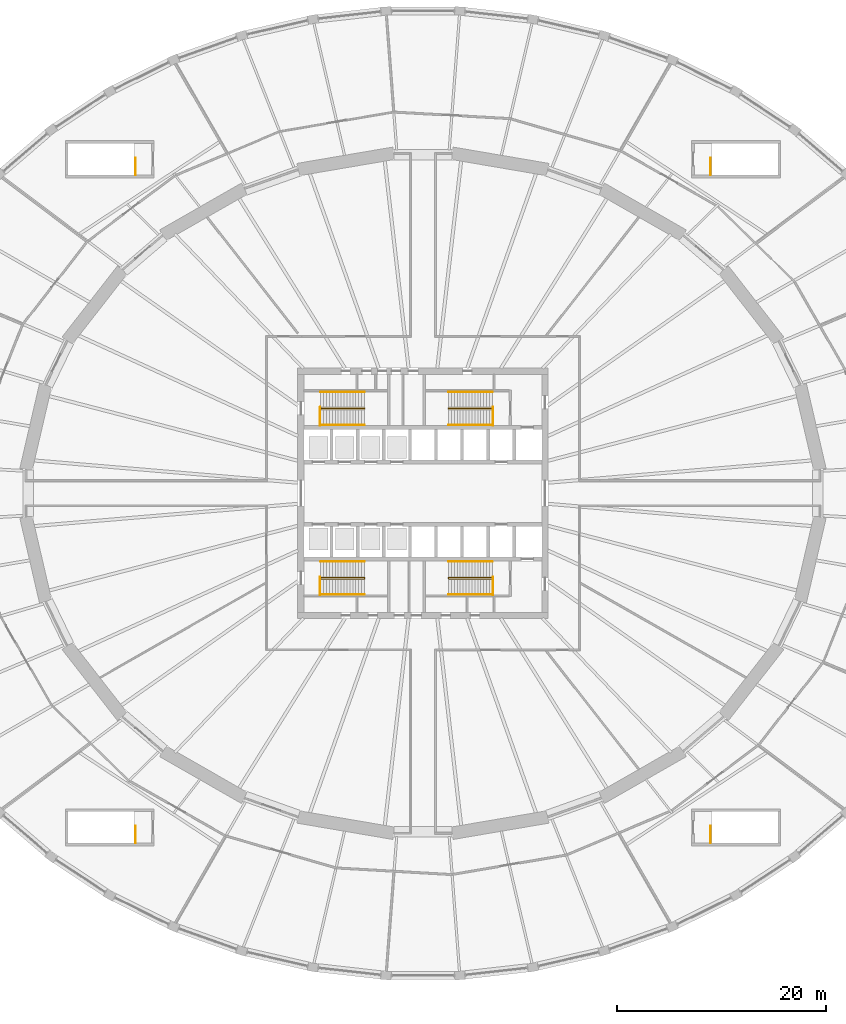
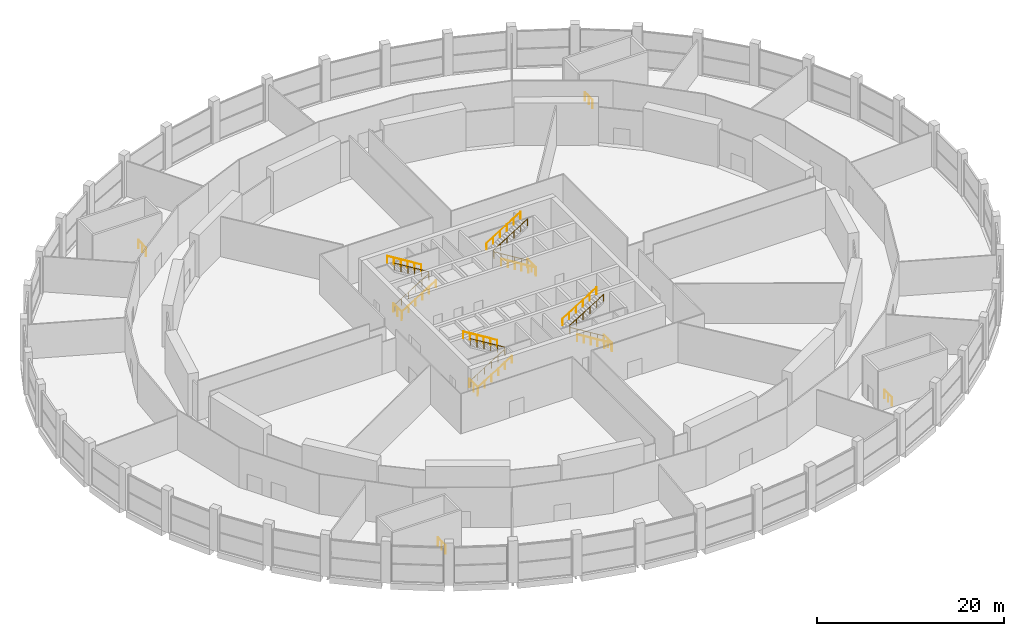
# One storey, part 25 of 26: 20 railings.
"""IFC4 building model written with IfcOpenShell, lengths in metres."""

from ifc_helpers import new_model, si_unit, direction, frame, origin, origin_2d, place, context, subcontext, project, spatial, circle, extrude, material, type_object, element, save


model = new_model("IFC4")

# Units and contexts
model_context = context("Model", 3, precision=1e-05, world=origin(), true_north=direction((0.0, 1.0)))
body_context = subcontext(model_context, "Body", "Model", "MODEL_VIEW")
ifc_project = project(units=[si_unit("LENGTHUNIT", "METRE"), si_unit("AREAUNIT", "SQUARE_METRE"), si_unit("VOLUMEUNIT", "CUBIC_METRE"), si_unit("PLANEANGLEUNIT", "RADIAN"), si_unit("MASSUNIT", "GRAM", prefix="KILO")], contexts=[model_context])

# Site, building, storey
site_placement = place(None, origin())
site = spatial("IfcSite", under=ifc_project, at=site_placement, CompositionType="ELEMENT")
building_placement = place(site_placement, origin())
building = spatial("IfcBuilding", under=site, at=building_placement, Name="Halqa Exchange Tower", CompositionType="ELEMENT")
storey_placement = place(building_placement, frame((0.0, 0.0, 18.0)))
storey = spatial("IfcBuildingStorey", under=building, at=storey_placement, Name="L03", CompositionType="ELEMENT", Elevation=18.0)

# Railings
ifc_material = material(Name="Stainless steel", Category="steel")
railing_type_1 = type_object("IfcRailingType", Name="Stair handrail 900", PredefinedType="HANDRAIL", material=ifc_material)
railing_1_placement = place(storey_placement, frame((-9.800048828125, 8.06005859375, 0.171875)))
element("IfcRailing", 1, at=railing_1_placement, inside=storey, type_object=railing_type_1, Name="Handrail ST1.1", PredefinedType="HANDRAIL", context=body_context, shape_type="SweptSolid", body=[
    extrude(circle(Radius=0.02392578125, at=origin_2d()), frame((0.0, 0.0, 0.8759765625), z_axis=(0.852242915053, 0.0, 0.523146264196), x_axis=(0.0, 1.0, 0.0)), (0.0, 0.0, 1.0), 4.92822265625),
    extrude(circle(Radius=0.02392578125, at=origin_2d()), frame((4.199951171875, 0.0, 3.4541015625), z_axis=(0.0, 0.602897214173, 0.797818869883), x_axis=(-1.0, 0.0, 0.0)), (0.0, 0.0, 1.0), 0.21533203125),
    extrude(circle(Radius=0.02392578125, at=origin_2d()), frame((4.199951171875, 0.1298828125, 3.6259765625), z_axis=(-0.852242915053, 0.0, 0.523146264196), x_axis=(0.0, -1.0, 0.0)), (0.0, 0.0, 1.0), 4.92822265625),
    extrude(circle(Radius=0.02099609375, at=origin_2d()), origin(), (0.0, 0.0, 1.0), 0.851806640625),
    extrude(circle(Radius=0.02099609375, at=origin_2d()), frame((0.840087890625, 0.0, 0.515625)), (0.0, 0.0, 1.0), 0.851806640625),
    extrude(circle(Radius=0.02099609375, at=origin_2d()), frame((1.679931640625, 0.0, 1.03125)), (0.0, 0.0, 1.0), 0.851806640625),
    extrude(circle(Radius=0.02099609375, at=origin_2d()), frame((2.52001953125, 0.0, 1.546875)), (0.0, 0.0, 1.0), 0.851806640625),
    extrude(circle(Radius=0.02099609375, at=origin_2d()), frame((3.35986328125, 0.0, 2.0625)), (0.0, 0.0, 1.0), 0.851806640625),
    extrude(circle(Radius=0.02099609375, at=origin_2d()), frame((4.199951171875, 0.0, 2.578125)), (0.0, 0.0, 1.0), 0.851806640625),
    extrude(circle(Radius=0.02099609375, at=origin_2d()), frame((4.199951171875, 0.1298828125, 2.75)), (0.0, 0.0, 1.0), 0.851806640625),
    extrude(circle(Radius=0.02099609375, at=origin_2d()), frame((3.35986328125, 0.1298828125, 3.265625)), (0.0, 0.0, 1.0), 0.851806640625),
    extrude(circle(Radius=0.02099609375, at=origin_2d()), frame((2.52001953125, 0.1298828125, 3.78125)), (0.0, 0.0, 1.0), 0.851806640625),
    extrude(circle(Radius=0.02099609375, at=origin_2d()), frame((1.679931640625, 0.1298828125, 4.296875)), (0.0, 0.0, 1.0), 0.851806640625),
    extrude(circle(Radius=0.02099609375, at=origin_2d()), frame((0.840087890625, 0.1298828125, 4.8125)), (0.0, 0.0, 1.0), 0.851806640625),
    extrude(circle(Radius=0.02099609375, at=origin_2d()), frame((0.0, 0.1298828125, 5.328125)), (0.0, 0.0, 1.0), 0.851806640625),
])
railing_2_placement = place(storey_placement, frame((-9.800048828125, 6.550048828125, 0.171875)))
element("IfcRailing", 2, at=railing_2_placement, inside=storey, type_object=railing_type_1, Name="Handrail ST1.2", PredefinedType="HANDRAIL", context=body_context, shape_type="SweptSolid", body=[
    extrude(circle(Radius=0.02392578125, at=origin_2d()), frame((0.0, 0.0, 0.8759765625), z_axis=(0.852242915053, 0.0, 0.523146264196), x_axis=(0.0, 1.0, 0.0)), (0.0, 0.0, 1.0), 4.92822265625),
    extrude(circle(Radius=0.02099609375, at=origin_2d()), origin(), (0.0, 0.0, 1.0), 0.851806640625),
    extrude(circle(Radius=0.02099609375, at=origin_2d()), frame((0.840087890625, 0.0, 0.515625)), (0.0, 0.0, 1.0), 0.851806640625),
    extrude(circle(Radius=0.02099609375, at=origin_2d()), frame((1.679931640625, 0.0, 1.03125)), (0.0, 0.0, 1.0), 0.851806640625),
    extrude(circle(Radius=0.02099609375, at=origin_2d()), frame((2.52001953125, 0.0, 1.546875)), (0.0, 0.0, 1.0), 0.851806640625),
    extrude(circle(Radius=0.02099609375, at=origin_2d()), frame((3.35986328125, 0.0, 2.0625)), (0.0, 0.0, 1.0), 0.851806640625),
    extrude(circle(Radius=0.02099609375, at=origin_2d()), frame((4.199951171875, 0.0, 2.578125)), (0.0, 0.0, 1.0), 0.851806640625),
])
railing_3_placement = place(storey_placement, frame((-5.60009765625, 9.699951171875, 2.921875)))
element("IfcRailing", 3, at=railing_3_placement, inside=storey, type_object=railing_type_1, Name="Handrail ST1.3", PredefinedType="HANDRAIL", context=body_context, shape_type="SweptSolid", body=[
    extrude(circle(Radius=0.02392578125, at=origin_2d()), frame((0.0, 0.0, 0.8759765625), z_axis=(-0.852242915053, 0.0, 0.523146264196), x_axis=(0.0, -1.0, 0.0)), (0.0, 0.0, 1.0), 4.92822265625),
    extrude(circle(Radius=0.02099609375, at=origin_2d()), origin(), (0.0, 0.0, 1.0), 0.851806640625),
    extrude(circle(Radius=0.02099609375, at=origin_2d()), frame((-0.840087890625, 0.0, 0.515625)), (0.0, 0.0, 1.0), 0.851806640625),
    extrude(circle(Radius=0.02099609375, at=origin_2d()), frame((-1.679931640625, 0.0, 1.03125)), (0.0, 0.0, 1.0), 0.851806640625),
    extrude(circle(Radius=0.02099609375, at=origin_2d()), frame((-2.52001953125, 0.0, 1.546875)), (0.0, 0.0, 1.0), 0.851806640625),
    extrude(circle(Radius=0.02099609375, at=origin_2d()), frame((-3.35986328125, 0.0, 2.0625)), (0.0, 0.0, 1.0), 0.851806640625),
    extrude(circle(Radius=0.02099609375, at=origin_2d()), frame((-4.199951171875, 0.0, 2.578125)), (0.0, 0.0, 1.0), 0.851806640625),
])
railing_4_placement = place(storey_placement, frame((6.64990234375, 8.06005859375, 0.171875)))
element("IfcRailing", 4, at=railing_4_placement, inside=storey, type_object=railing_type_1, Name="Handrail ST2.1", PredefinedType="HANDRAIL", context=body_context, shape_type="SweptSolid", body=[
    extrude(circle(Radius=0.02392578125, at=origin_2d()), frame((0.0, 0.0, 0.8759765625), z_axis=(-0.852242915053, 0.0, 0.523146264196), x_axis=(0.0, -1.0, 0.0)), (0.0, 0.0, 1.0), 4.92822265625),
    extrude(circle(Radius=0.02392578125, at=origin_2d()), frame((-4.199951171875, 0.0, 3.4541015625), z_axis=(0.0, 0.602897214173, 0.797818869883), x_axis=(-1.0, 0.0, 0.0)), (0.0, 0.0, 1.0), 0.21533203125),
    extrude(circle(Radius=0.02392578125, at=origin_2d()), frame((-4.199951171875, 0.1298828125, 3.6259765625), z_axis=(0.852242915053, 0.0, 0.523146264196), x_axis=(0.0, 1.0, 0.0)), (0.0, 0.0, 1.0), 4.92822265625),
    extrude(circle(Radius=0.02099609375, at=origin_2d()), origin(), (0.0, 0.0, 1.0), 0.851806640625),
    extrude(circle(Radius=0.02099609375, at=origin_2d()), frame((-0.840087890625, 0.0, 0.515625)), (0.0, 0.0, 1.0), 0.851806640625),
    extrude(circle(Radius=0.02099609375, at=origin_2d()), frame((-1.679931640625, 0.0, 1.03125)), (0.0, 0.0, 1.0), 0.851806640625),
    extrude(circle(Radius=0.02099609375, at=origin_2d()), frame((-2.52001953125, 0.0, 1.546875)), (0.0, 0.0, 1.0), 0.851806640625),
    extrude(circle(Radius=0.02099609375, at=origin_2d()), frame((-3.35986328125, 0.0, 2.0625)), (0.0, 0.0, 1.0), 0.851806640625),
    extrude(circle(Radius=0.02099609375, at=origin_2d()), frame((-4.199951171875, 0.0, 2.578125)), (0.0, 0.0, 1.0), 0.851806640625),
    extrude(circle(Radius=0.02099609375, at=origin_2d()), frame((-4.199951171875, 0.1298828125, 2.75)), (0.0, 0.0, 1.0), 0.851806640625),
    extrude(circle(Radius=0.02099609375, at=origin_2d()), frame((-3.35986328125, 0.1298828125, 3.265625)), (0.0, 0.0, 1.0), 0.851806640625),
    extrude(circle(Radius=0.02099609375, at=origin_2d()), frame((-2.52001953125, 0.1298828125, 3.78125)), (0.0, 0.0, 1.0), 0.851806640625),
    extrude(circle(Radius=0.02099609375, at=origin_2d()), frame((-1.679931640625, 0.1298828125, 4.296875)), (0.0, 0.0, 1.0), 0.851806640625),
    extrude(circle(Radius=0.02099609375, at=origin_2d()), frame((-0.840087890625, 0.1298828125, 4.8125)), (0.0, 0.0, 1.0), 0.851806640625),
    extrude(circle(Radius=0.02099609375, at=origin_2d()), frame((0.0, 0.1298828125, 5.328125)), (0.0, 0.0, 1.0), 0.851806640625),
])
railing_5_placement = place(storey_placement, frame((6.64990234375, 6.550048828125, 0.171875)))
element("IfcRailing", 5, at=railing_5_placement, inside=storey, type_object=railing_type_1, Name="Handrail ST2.2", PredefinedType="HANDRAIL", context=body_context, shape_type="SweptSolid", body=[
    extrude(circle(Radius=0.02392578125, at=origin_2d()), frame((0.0, 0.0, 0.8759765625), z_axis=(-0.852242915053, 0.0, 0.523146264196), x_axis=(0.0, -1.0, 0.0)), (0.0, 0.0, 1.0), 4.92822265625),
    extrude(circle(Radius=0.02099609375, at=origin_2d()), origin(), (0.0, 0.0, 1.0), 0.851806640625),
    extrude(circle(Radius=0.02099609375, at=origin_2d()), frame((-0.840087890625, 0.0, 0.515625)), (0.0, 0.0, 1.0), 0.851806640625),
    extrude(circle(Radius=0.02099609375, at=origin_2d()), frame((-1.679931640625, 0.0, 1.03125)), (0.0, 0.0, 1.0), 0.851806640625),
    extrude(circle(Radius=0.02099609375, at=origin_2d()), frame((-2.52001953125, 0.0, 1.546875)), (0.0, 0.0, 1.0), 0.851806640625),
    extrude(circle(Radius=0.02099609375, at=origin_2d()), frame((-3.35986328125, 0.0, 2.0625)), (0.0, 0.0, 1.0), 0.851806640625),
    extrude(circle(Radius=0.02099609375, at=origin_2d()), frame((-4.199951171875, 0.0, 2.578125)), (0.0, 0.0, 1.0), 0.851806640625),
])
railing_6_placement = place(storey_placement, frame((2.449951171875, 9.699951171875, 2.921875)))
element("IfcRailing", 6, at=railing_6_placement, inside=storey, type_object=railing_type_1, Name="Handrail ST2.3", PredefinedType="HANDRAIL", context=body_context, shape_type="SweptSolid", body=[
    extrude(circle(Radius=0.02392578125, at=origin_2d()), frame((0.0, 0.0, 0.8759765625), z_axis=(0.852242915053, 0.0, 0.523146264196), x_axis=(0.0, 1.0, 0.0)), (0.0, 0.0, 1.0), 4.92822265625),
    extrude(circle(Radius=0.02099609375, at=origin_2d()), origin(), (0.0, 0.0, 1.0), 0.851806640625),
    extrude(circle(Radius=0.02099609375, at=origin_2d()), frame((0.840087890625, 0.0, 0.515625)), (0.0, 0.0, 1.0), 0.851806640625),
    extrude(circle(Radius=0.02099609375, at=origin_2d()), frame((1.679931640625, 0.0, 1.03125)), (0.0, 0.0, 1.0), 0.851806640625),
    extrude(circle(Radius=0.02099609375, at=origin_2d()), frame((2.52001953125, 0.0, 1.546875)), (0.0, 0.0, 1.0), 0.851806640625),
    extrude(circle(Radius=0.02099609375, at=origin_2d()), frame((3.35986328125, 0.0, 2.0625)), (0.0, 0.0, 1.0), 0.851806640625),
    extrude(circle(Radius=0.02099609375, at=origin_2d()), frame((4.199951171875, 0.0, 2.578125)), (0.0, 0.0, 1.0), 0.851806640625),
])
railing_7_placement = place(storey_placement, frame((-9.800048828125, -8.18994140625, 0.171875)))
element("IfcRailing", 7, at=railing_7_placement, inside=storey, type_object=railing_type_1, Name="Handrail ST3.1", PredefinedType="HANDRAIL", context=body_context, shape_type="SweptSolid", body=[
    extrude(circle(Radius=0.02392578125, at=origin_2d()), frame((0.0, 0.0, 0.8759765625), z_axis=(0.852242915053, 0.0, 0.523146264196), x_axis=(0.0, 1.0, 0.0)), (0.0, 0.0, 1.0), 4.92822265625),
    extrude(circle(Radius=0.02392578125, at=origin_2d()), frame((4.199951171875, 0.0, 3.4541015625), z_axis=(0.0, 0.602897214173, 0.797818869883), x_axis=(-1.0, 0.0, 0.0)), (0.0, 0.0, 1.0), 0.21533203125),
    extrude(circle(Radius=0.02392578125, at=origin_2d()), frame((4.199951171875, 0.1298828125, 3.6259765625), z_axis=(-0.852242915053, 0.0, 0.523146264196), x_axis=(0.0, -1.0, 0.0)), (0.0, 0.0, 1.0), 4.92822265625),
    extrude(circle(Radius=0.02099609375, at=origin_2d()), origin(), (0.0, 0.0, 1.0), 0.851806640625),
    extrude(circle(Radius=0.02099609375, at=origin_2d()), frame((0.840087890625, 0.0, 0.515625)), (0.0, 0.0, 1.0), 0.851806640625),
    extrude(circle(Radius=0.02099609375, at=origin_2d()), frame((1.679931640625, 0.0, 1.03125)), (0.0, 0.0, 1.0), 0.851806640625),
    extrude(circle(Radius=0.02099609375, at=origin_2d()), frame((2.52001953125, 0.0, 1.546875)), (0.0, 0.0, 1.0), 0.851806640625),
    extrude(circle(Radius=0.02099609375, at=origin_2d()), frame((3.35986328125, 0.0, 2.0625)), (0.0, 0.0, 1.0), 0.851806640625),
    extrude(circle(Radius=0.02099609375, at=origin_2d()), frame((4.199951171875, 0.0, 2.578125)), (0.0, 0.0, 1.0), 0.851806640625),
    extrude(circle(Radius=0.02099609375, at=origin_2d()), frame((4.199951171875, 0.1298828125, 2.75)), (0.0, 0.0, 1.0), 0.851806640625),
    extrude(circle(Radius=0.02099609375, at=origin_2d()), frame((3.35986328125, 0.1298828125, 3.265625)), (0.0, 0.0, 1.0), 0.851806640625),
    extrude(circle(Radius=0.02099609375, at=origin_2d()), frame((2.52001953125, 0.1298828125, 3.78125)), (0.0, 0.0, 1.0), 0.851806640625),
    extrude(circle(Radius=0.02099609375, at=origin_2d()), frame((1.679931640625, 0.1298828125, 4.296875)), (0.0, 0.0, 1.0), 0.851806640625),
    extrude(circle(Radius=0.02099609375, at=origin_2d()), frame((0.840087890625, 0.1298828125, 4.8125)), (0.0, 0.0, 1.0), 0.851806640625),
    extrude(circle(Radius=0.02099609375, at=origin_2d()), frame((0.0, 0.1298828125, 5.328125)), (0.0, 0.0, 1.0), 0.851806640625),
])
railing_8_placement = place(storey_placement, frame((-9.800048828125, -9.699951171875, 0.171875)))
element("IfcRailing", 8, at=railing_8_placement, inside=storey, type_object=railing_type_1, Name="Handrail ST3.2", PredefinedType="HANDRAIL", context=body_context, shape_type="SweptSolid", body=[
    extrude(circle(Radius=0.02392578125, at=origin_2d()), frame((0.0, 0.0, 0.8759765625), z_axis=(0.852242915053, 0.0, 0.523146264196), x_axis=(0.0, 1.0, 0.0)), (0.0, 0.0, 1.0), 4.92822265625),
    extrude(circle(Radius=0.02099609375, at=origin_2d()), origin(), (0.0, 0.0, 1.0), 0.851806640625),
    extrude(circle(Radius=0.02099609375, at=origin_2d()), frame((0.840087890625, 0.0, 0.515625)), (0.0, 0.0, 1.0), 0.851806640625),
    extrude(circle(Radius=0.02099609375, at=origin_2d()), frame((1.679931640625, 0.0, 1.03125)), (0.0, 0.0, 1.0), 0.851806640625),
    extrude(circle(Radius=0.02099609375, at=origin_2d()), frame((2.52001953125, 0.0, 1.546875)), (0.0, 0.0, 1.0), 0.851806640625),
    extrude(circle(Radius=0.02099609375, at=origin_2d()), frame((3.35986328125, 0.0, 2.0625)), (0.0, 0.0, 1.0), 0.851806640625),
    extrude(circle(Radius=0.02099609375, at=origin_2d()), frame((4.199951171875, 0.0, 2.578125)), (0.0, 0.0, 1.0), 0.851806640625),
])
railing_9_placement = place(storey_placement, frame((-5.60009765625, -6.550048828125, 2.921875)))
element("IfcRailing", 9, at=railing_9_placement, inside=storey, type_object=railing_type_1, Name="Handrail ST3.3", PredefinedType="HANDRAIL", context=body_context, shape_type="SweptSolid", body=[
    extrude(circle(Radius=0.02392578125, at=origin_2d()), frame((0.0, 0.0, 0.8759765625), z_axis=(-0.852242915053, 0.0, 0.523146264196), x_axis=(0.0, -1.0, 0.0)), (0.0, 0.0, 1.0), 4.92822265625),
    extrude(circle(Radius=0.02099609375, at=origin_2d()), origin(), (0.0, 0.0, 1.0), 0.851806640625),
    extrude(circle(Radius=0.02099609375, at=origin_2d()), frame((-0.840087890625, 0.0, 0.515625)), (0.0, 0.0, 1.0), 0.851806640625),
    extrude(circle(Radius=0.02099609375, at=origin_2d()), frame((-1.679931640625, 0.0, 1.03125)), (0.0, 0.0, 1.0), 0.851806640625),
    extrude(circle(Radius=0.02099609375, at=origin_2d()), frame((-2.52001953125, 0.0, 1.546875)), (0.0, 0.0, 1.0), 0.851806640625),
    extrude(circle(Radius=0.02099609375, at=origin_2d()), frame((-3.35986328125, 0.0, 2.0625)), (0.0, 0.0, 1.0), 0.851806640625),
    extrude(circle(Radius=0.02099609375, at=origin_2d()), frame((-4.199951171875, 0.0, 2.578125)), (0.0, 0.0, 1.0), 0.851806640625),
])
railing_10_placement = place(storey_placement, frame((6.64990234375, -8.18994140625, 0.171875)))
element("IfcRailing", 10, at=railing_10_placement, inside=storey, type_object=railing_type_1, Name="Handrail ST4.1", PredefinedType="HANDRAIL", context=body_context, shape_type="SweptSolid", body=[
    extrude(circle(Radius=0.02392578125, at=origin_2d()), frame((0.0, 0.0, 0.8759765625), z_axis=(-0.852242915053, 0.0, 0.523146264196), x_axis=(0.0, -1.0, 0.0)), (0.0, 0.0, 1.0), 4.92822265625),
    extrude(circle(Radius=0.02392578125, at=origin_2d()), frame((-4.199951171875, 0.0, 3.4541015625), z_axis=(0.0, 0.602897214173, 0.797818869883), x_axis=(-1.0, 0.0, 0.0)), (0.0, 0.0, 1.0), 0.21533203125),
    extrude(circle(Radius=0.02392578125, at=origin_2d()), frame((-4.199951171875, 0.1298828125, 3.6259765625), z_axis=(0.852242915053, 0.0, 0.523146264196), x_axis=(0.0, 1.0, 0.0)), (0.0, 0.0, 1.0), 4.92822265625),
    extrude(circle(Radius=0.02099609375, at=origin_2d()), origin(), (0.0, 0.0, 1.0), 0.851806640625),
    extrude(circle(Radius=0.02099609375, at=origin_2d()), frame((-0.840087890625, 0.0, 0.515625)), (0.0, 0.0, 1.0), 0.851806640625),
    extrude(circle(Radius=0.02099609375, at=origin_2d()), frame((-1.679931640625, 0.0, 1.03125)), (0.0, 0.0, 1.0), 0.851806640625),
    extrude(circle(Radius=0.02099609375, at=origin_2d()), frame((-2.52001953125, 0.0, 1.546875)), (0.0, 0.0, 1.0), 0.851806640625),
    extrude(circle(Radius=0.02099609375, at=origin_2d()), frame((-3.35986328125, 0.0, 2.0625)), (0.0, 0.0, 1.0), 0.851806640625),
    extrude(circle(Radius=0.02099609375, at=origin_2d()), frame((-4.199951171875, 0.0, 2.578125)), (0.0, 0.0, 1.0), 0.851806640625),
    extrude(circle(Radius=0.02099609375, at=origin_2d()), frame((-4.199951171875, 0.1298828125, 2.75)), (0.0, 0.0, 1.0), 0.851806640625),
    extrude(circle(Radius=0.02099609375, at=origin_2d()), frame((-3.35986328125, 0.1298828125, 3.265625)), (0.0, 0.0, 1.0), 0.851806640625),
    extrude(circle(Radius=0.02099609375, at=origin_2d()), frame((-2.52001953125, 0.1298828125, 3.78125)), (0.0, 0.0, 1.0), 0.851806640625),
    extrude(circle(Radius=0.02099609375, at=origin_2d()), frame((-1.679931640625, 0.1298828125, 4.296875)), (0.0, 0.0, 1.0), 0.851806640625),
    extrude(circle(Radius=0.02099609375, at=origin_2d()), frame((-0.840087890625, 0.1298828125, 4.8125)), (0.0, 0.0, 1.0), 0.851806640625),
    extrude(circle(Radius=0.02099609375, at=origin_2d()), frame((0.0, 0.1298828125, 5.328125)), (0.0, 0.0, 1.0), 0.851806640625),
])
railing_11_placement = place(storey_placement, frame((6.64990234375, -9.699951171875, 0.171875)))
element("IfcRailing", 11, at=railing_11_placement, inside=storey, type_object=railing_type_1, Name="Handrail ST4.2", PredefinedType="HANDRAIL", context=body_context, shape_type="SweptSolid", body=[
    extrude(circle(Radius=0.02392578125, at=origin_2d()), frame((0.0, 0.0, 0.8759765625), z_axis=(-0.852242915053, 0.0, 0.523146264196), x_axis=(0.0, -1.0, 0.0)), (0.0, 0.0, 1.0), 4.92822265625),
    extrude(circle(Radius=0.02099609375, at=origin_2d()), origin(), (0.0, 0.0, 1.0), 0.851806640625),
    extrude(circle(Radius=0.02099609375, at=origin_2d()), frame((-0.840087890625, 0.0, 0.515625)), (0.0, 0.0, 1.0), 0.851806640625),
    extrude(circle(Radius=0.02099609375, at=origin_2d()), frame((-1.679931640625, 0.0, 1.03125)), (0.0, 0.0, 1.0), 0.851806640625),
    extrude(circle(Radius=0.02099609375, at=origin_2d()), frame((-2.52001953125, 0.0, 1.546875)), (0.0, 0.0, 1.0), 0.851806640625),
    extrude(circle(Radius=0.02099609375, at=origin_2d()), frame((-3.35986328125, 0.0, 2.0625)), (0.0, 0.0, 1.0), 0.851806640625),
    extrude(circle(Radius=0.02099609375, at=origin_2d()), frame((-4.199951171875, 0.0, 2.578125)), (0.0, 0.0, 1.0), 0.851806640625),
])
railing_12_placement = place(storey_placement, frame((2.449951171875, -6.550048828125, 2.921875)))
element("IfcRailing", 12, at=railing_12_placement, inside=storey, type_object=railing_type_1, Name="Handrail ST4.3", PredefinedType="HANDRAIL", context=body_context, shape_type="SweptSolid", body=[
    extrude(circle(Radius=0.02392578125, at=origin_2d()), frame((0.0, 0.0, 0.8759765625), z_axis=(0.852242915053, 0.0, 0.523146264196), x_axis=(0.0, 1.0, 0.0)), (0.0, 0.0, 1.0), 4.92822265625),
    extrude(circle(Radius=0.02099609375, at=origin_2d()), origin(), (0.0, 0.0, 1.0), 0.851806640625),
    extrude(circle(Radius=0.02099609375, at=origin_2d()), frame((0.840087890625, 0.0, 0.515625)), (0.0, 0.0, 1.0), 0.851806640625),
    extrude(circle(Radius=0.02099609375, at=origin_2d()), frame((1.679931640625, 0.0, 1.03125)), (0.0, 0.0, 1.0), 0.851806640625),
    extrude(circle(Radius=0.02099609375, at=origin_2d()), frame((2.52001953125, 0.0, 1.546875)), (0.0, 0.0, 1.0), 0.851806640625),
    extrude(circle(Radius=0.02099609375, at=origin_2d()), frame((3.35986328125, 0.0, 2.0625)), (0.0, 0.0, 1.0), 0.851806640625),
    extrude(circle(Radius=0.02099609375, at=origin_2d()), frame((4.199951171875, 0.0, 2.578125)), (0.0, 0.0, 1.0), 0.851806640625),
])
railing_type_2 = type_object("IfcRailingType", Name="Stair well guard 1100", PredefinedType="GUARDRAIL", material=ifc_material)
for number, where, name in (
    (13, (-9.85009765625, 6.5, 0.0), "Guard ST1 well"),
    (14, (6.699951171875, 6.5, 0.0), "Guard ST2 well"),
    (15, (-9.85009765625, -9.75, 0.0), "Guard ST3 well"),
    (16, (6.699951171875, -9.75, 0.0), "Guard ST4 well"),
):
    element("IfcRailing", number, at=place(storey_placement, frame(where)), inside=storey, type_object=railing_type_2, Name=name, PredefinedType="GUARDRAIL", context=body_context, shape_type="SweptSolid", body=[
        extrude(circle(Radius=0.02392578125, at=origin_2d()), frame((0.0, 0.0, 1.076171875), z_axis=(0.0, 1.0, 0.0), x_axis=(-1.0, 0.0, 0.0)), (0.0, 0.0, 1.0), 1.75),
        extrude(circle(Radius=0.02099609375, at=origin_2d()), origin(), (0.0, 0.0, 1.0), 1.052001953125),
        extrude(circle(Radius=0.02099609375, at=origin_2d()), frame((0.0, 0.875, 0.0)), (0.0, 0.0, 1.0), 1.052001953125),
        extrude(circle(Radius=0.02099609375, at=origin_2d()), frame((0.0, 1.75, 0.0)), (0.0, 0.0, 1.0), 1.052001953125),
    ])
for number, where, name in (
    (17, (27.550048828125, 30.47509765625, 0.0), "Guard PS1 well"),
    (18, (27.550048828125, -33.52490234375, 0.0), "Guard PS2 well"),
    (19, (-27.550048828125, 30.47509765625, 0.0), "Guard PS3 well"),
    (20, (-27.550048828125, -33.52490234375, 0.0), "Guard PS4 well"),
):
    element("IfcRailing", number, at=place(storey_placement, frame(where)), inside=storey, type_object=railing_type_2, Name=name, PredefinedType="GUARDRAIL", context=body_context, shape_type="SweptSolid", body=[
        extrude(circle(Radius=0.02392578125, at=origin_2d()), frame((0.0, 0.0, 1.076171875), z_axis=(0.0, 1.0, 0.0), x_axis=(-1.0, 0.0, 0.0)), (0.0, 0.0, 1.0), 1.64990234375),
        extrude(circle(Radius=0.02099609375, at=origin_2d()), origin(), (0.0, 0.0, 1.0), 1.052001953125),
        extrude(circle(Radius=0.02099609375, at=origin_2d()), frame((0.0, 0.824951171875, 0.0)), (0.0, 0.0, 1.0), 1.052001953125),
        extrude(circle(Radius=0.02099609375, at=origin_2d()), frame((0.0, 1.64990234375, 0.0)), (0.0, 0.0, 1.0), 1.052001953125),
    ])

save(model, "model.ifc")
